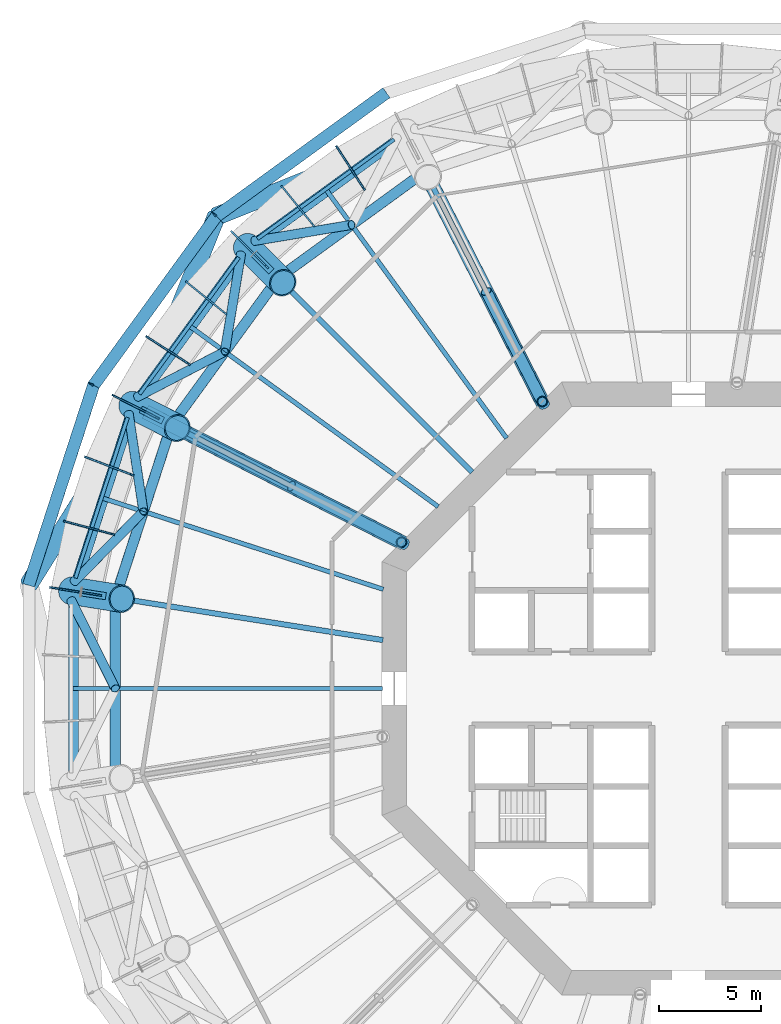
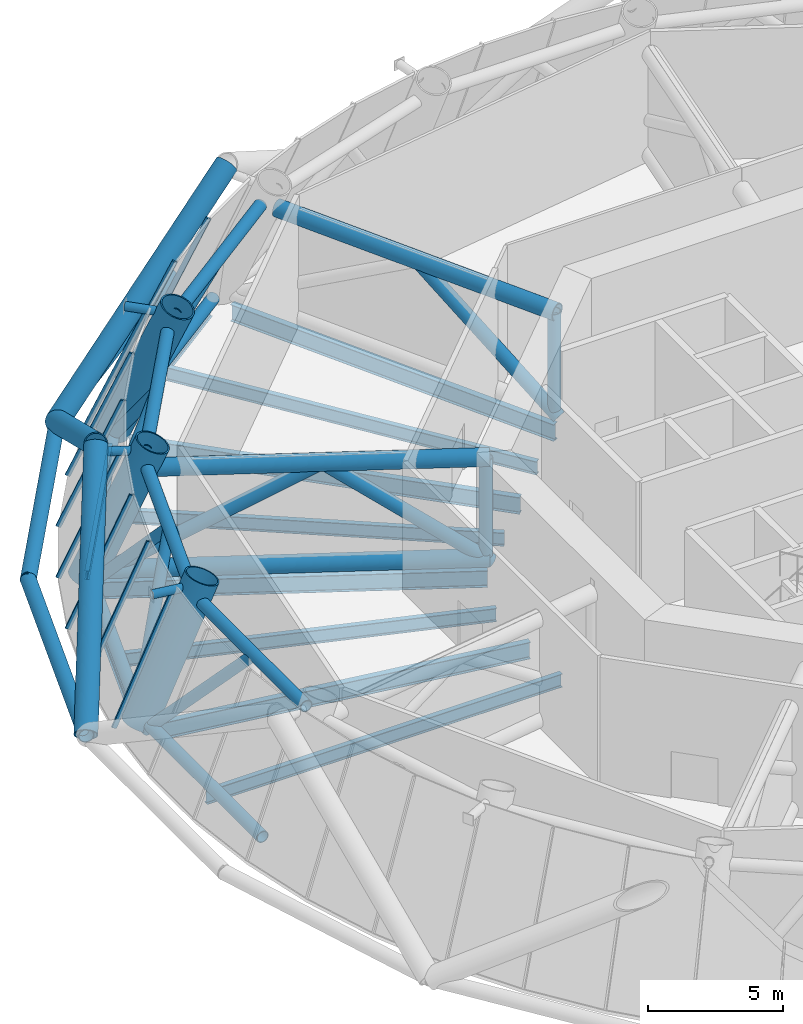
# One storey, part 4 of 18: 43 members, 11 beams, 4 elements without a shape of their own.
"""IFC4 building model written with IfcOpenShell, lengths in metres."""

from ifc_helpers import new_model, si_unit, direction, frame, origin, origin_2d, place, context, subcontext, project, spatial, rectangle, circle, hollow_circle, i_section, extrude, material, layer, layer_set, material_profile, profile_set, type_object, element, aggregate, save


model = new_model("IFC4")

# Units and contexts
model_context = context("Model", 3, precision=1e-05, world=origin(), true_north=direction((0.0, 1.0)))
body_context = subcontext(model_context, "Body", "Model", "MODEL_VIEW")
ifc_project = project(units=[si_unit("LENGTHUNIT", "METRE"), si_unit("AREAUNIT", "SQUARE_METRE"), si_unit("VOLUMEUNIT", "CUBIC_METRE"), si_unit("PLANEANGLEUNIT", "RADIAN"), si_unit("MASSUNIT", "GRAM", prefix="KILO")], contexts=[model_context])

# Site, building, storey
site_placement = place(None, origin())
site = spatial("IfcSite", under=ifc_project, at=site_placement, CompositionType="ELEMENT")
building_placement = place(site_placement, origin())
building = spatial("IfcBuilding", under=site, at=building_placement, Name="Entoto Ring Tower", CompositionType="ELEMENT")
storey_placement = place(building_placement, frame((0.0, 0.0, 138.0)))
storey = spatial("IfcBuildingStorey", under=building, at=storey_placement, Name="L31", CompositionType="ELEMENT", Elevation=138.0)

# Members
ifc_material_1 = material(Name="Steel S355", Category="steel")
ifc_material_profile_1 = material_profile(ifc_material_1, hollow_circle(Radius=0.449951171875, WallThickness=0.044921875, at=origin_2d()), Name="CHS 900 x 45")
ifc_material_2 = material(Name="Concrete C60/75", Category="concrete")
ifc_material_profile_2 = material_profile(ifc_material_2, circle(Radius=0.405029296875, at=origin_2d()), Name="Concrete C60/75 infill")
ifc_profile_set_1 = profile_set([ifc_material_profile_1, ifc_material_profile_2], Name="Steel S355")
member_type_1 = type_object("IfcMemberType", Name="Diagrid diagonal 900 x 45 concrete-filled tube", PredefinedType="BRACE", material=ifc_profile_set_1)
for number, where, z_axis, x_axis, name in (
    (1, (66.877685546875, 103.122314453125, 0.0), (0.798539539663, 0.321230348917, 0.50906351915), (-0.373207322886, 0.927747969086, 0.0), "DG2 module 10 07"),
    (2, (66.877685546875, 103.122314453125, 0.0), (-0.321230348917, -0.798539539663, 0.50906351915), (0.927747969086, -0.373207322886, 0.0), "DG2 module 10 08"),
):
    element("IfcMember", number, at=place(storey_placement, frame(where, z_axis=z_axis, x_axis=x_axis)), inside=storey, type_object=member_type_1, Name=name, PredefinedType="BRACE", context=body_context, shape_type="SweptSolid", body=[
        extrude(hollow_circle(Radius=0.449951171875, WallThickness=0.044921875, at=origin_2d()), origin(), (0.0, 0.0, 1.0), 11.786376953125),
    ])
member_1_placement = place(storey_placement, frame((57.70263671875, 85.115478515625, 0.0), z_axis=(0.457223459156, 0.729241692547, 0.509070979578), x_axis=(-0.847241662915, 0.531207647366, 0.0)))
element("IfcMember", 3, at=member_1_placement, inside=storey, type_object=member_type_1, Name="DG2 module 10 09", PredefinedType="BRACE", context=body_context, shape_type="SweptSolid", body=[
    extrude(hollow_circle(Radius=0.449951171875, WallThickness=0.044921875, at=origin_2d()), origin(), (0.0, 0.0, 1.0), 11.7861328125),
])
ifc_material_3 = material(Name="Steel S355", Category="steel")
ifc_material_profile_3 = material_profile(ifc_material_3, hollow_circle(Radius=0.177734375, WallThickness=0.01611328125, at=origin_2d()), Name="CHS 355.6 x 16")
ifc_material_4 = material(Name="Concrete C60/75", Category="concrete")
ifc_material_profile_4 = material_profile(ifc_material_4, circle(Radius=0.161865234375, at=origin_2d()), Name="Concrete C60/75 infill")
ifc_profile_set_2 = profile_set([ifc_material_profile_3, ifc_material_profile_4], Name="Steel S355")
member_type_2 = type_object("IfcMemberType", Name="Diagrid node strut 355.6 x 16", PredefinedType="STRUT", material=ifc_profile_set_2)
member_2_placement = place(storey_placement, frame((69.570556640625, 100.429443359375, 5.672119140625), z_axis=(-0.707106781187, 0.707106781187, 0.0), x_axis=(-0.707106781187, -0.707106781187, 0.0)))
element("IfcMember", 4, at=member_2_placement, inside=storey, type_object=member_type_2, Name="DS1 strut ring 10 08", PredefinedType="STRUT", context=body_context, shape_type="SweptSolid", body=[
    extrude(hollow_circle(Radius=0.177734375, WallThickness=0.01611328125, at=origin_2d()), origin(), (0.0, 0.0, 1.0), 1.20849609375),
])
member_3_placement = place(storey_placement, frame((64.25732421875, 93.116455078125, 5.672119140625), z_axis=(-0.891007115266, 0.453989339683, 0.0), x_axis=(-0.453989339683, -0.891007115266, 0.0)))
element("IfcMember", 5, at=member_3_placement, inside=storey, type_object=member_type_2, Name="DS1 strut ring 10 09", PredefinedType="STRUT", context=body_context, shape_type="SweptSolid", body=[
    extrude(hollow_circle(Radius=0.177734375, WallThickness=0.01611328125, at=origin_2d()), origin(), (0.0, 0.0, 1.0), 1.208251953125),
])
member_4_placement = place(storey_placement, frame((61.464111328125, 84.51953125, 5.672119140625), z_axis=(-0.987667778842, 0.156564231664, 0.0), x_axis=(-0.156564231664, -0.987667778842, 0.0)))
element("IfcMember", 6, at=member_4_placement, inside=storey, type_object=member_type_2, Name="DS1 strut ring 10 10", PredefinedType="STRUT", context=body_context, shape_type="SweptSolid", body=[
    extrude(hollow_circle(Radius=0.177734375, WallThickness=0.01611328125, at=origin_2d()), origin(), (0.0, 0.0, 1.0), 1.20849609375),
])
ifc_material_5 = material(Name="Steel S355", Category="steel")
ifc_material_profile_5 = material_profile(ifc_material_5, hollow_circle(Radius=0.300048828125, WallThickness=0.030029296875, at=origin_2d()), Name="CHS 600 x 30")
ifc_material_6 = material(Name="Concrete C60/75", Category="concrete")
ifc_material_profile_6 = material_profile(ifc_material_6, circle(Radius=0.27001953125, at=origin_2d()), Name="Concrete C60/75 infill")
ifc_profile_set_3 = profile_set([ifc_material_profile_5, ifc_material_profile_6], Name="Steel S355")
member_type_3 = type_object("IfcMemberType", Name="Diagrid ring beam 600 x 30", PredefinedType="CHORD", material=ifc_profile_set_3)
for number, where, z_axis, x_axis, name in (
    (7, (75.209228515625, 109.175537109375, 0.0), (-0.809025235549, -0.587773909122, 0.0), (0.587773909122, -0.809025235549, 0.0), "DR1 ring 9 06"),
    (8, (66.917236328125, 103.177001953125, 0.0), (-0.587773909122, -0.809025235549, 0.0), (0.809025235549, -0.587773909122, 0.0), "DR1 ring 9 07"),
):
    element("IfcMember", number, at=place(storey_placement, frame(where, z_axis=z_axis, x_axis=x_axis)), inside=storey, type_object=member_type_3, Name=name, PredefinedType="CHORD", context=body_context, shape_type="SweptSolid", body=[
        extrude(hollow_circle(Radius=0.300048828125, WallThickness=0.030029296875, at=origin_2d()), origin(), (0.0, 0.0, 1.0), 10.365966796875),
    ])
member_5_placement = place(storey_placement, frame((60.885009765625, 94.90966796875, 0.0), z_axis=(-0.309032815696, -0.951051375491, 0.0), x_axis=(0.951051375491, -0.309032815696, 0.0)))
element("IfcMember", 9, at=member_5_placement, inside=storey, type_object=member_type_3, Name="DR1 ring 9 08", PredefinedType="CHORD", context=body_context, shape_type="SweptSolid", body=[
    extrude(hollow_circle(Radius=0.300048828125, WallThickness=0.030029296875, at=origin_2d()), origin(), (0.0, 0.0, 1.0), 10.36572265625),
])

# Beams
ifc_material_7 = material(Name="Steel S355", Category="steel")
ifc_material_profile_7 = material_profile(ifc_material_7, i_section(OverallWidth=0.179931640625, OverallDepth=0.39990234375, WebThickness=0.008544921875, FlangeThickness=0.013427734375, FilletRadius=0.02099609375, at=origin_2d()), Name="IPE 400")
ifc_profile_set_4 = profile_set([ifc_material_profile_7], Name="Steel S355")
beam_type_1 = type_object("IfcBeamType", Name="Edge beam IPE 400", PredefinedType="SPANDREL", material=ifc_profile_set_4)
for number, where, z_axis, x_axis, name in (
    (10, (75.5830078125, 106.88330078125, -0.35009765625), (-0.809023009896, -0.587776972549, 0.0), (0.587776972549, -0.809023009896, 0.0), "Edge beam L31 07"),
    (11, (67.981201171875, 101.112548828125, -0.35009765625), (-0.587776972549, -0.809023009896, 0.0), (0.809023009896, -0.587776972549, 0.0), "Edge beam L31 08"),
):
    element("IfcBeam", number, at=place(storey_placement, frame(where, z_axis=z_axis, x_axis=x_axis)), inside=storey, type_object=beam_type_1, Name=name, PredefinedType="SPANDREL", context=body_context, shape_type="SweptSolid", body=[
        extrude(i_section(OverallWidth=0.179931640625, OverallDepth=0.39990234375, WebThickness=0.008544921875, FlangeThickness=0.013427734375, FilletRadius=0.02099609375, at=origin_2d()), origin(), (0.0, 0.0, 1.0), 8.276123046875),
    ])
beam_1_placement = place(storey_placement, frame((62.53466796875, 93.27490234375, -0.35009765625), z_axis=(-0.309014697302, -0.951057262656, 0.0), x_axis=(0.951057262656, -0.309014697302, 0.0)))
element("IfcBeam", 12, at=beam_1_placement, inside=storey, type_object=beam_type_1, Name="Edge beam L31 09", PredefinedType="SPANDREL", context=body_context, shape_type="SweptSolid", body=[
    extrude(i_section(OverallWidth=0.179931640625, OverallDepth=0.39990234375, WebThickness=0.008544921875, FlangeThickness=0.013427734375, FilletRadius=0.02099609375, at=origin_2d()), origin(), (0.0, 0.0, 1.0), 8.27587890625),
])

# Curtain wall, members
ifc_material_8 = material(Name="Anodised aluminium", Category="aluminium")
ifc_layer = layer(ifc_material_8, 0.10009765625)
ifc_layer_set = layer_set([ifc_layer], Name="Anodised aluminium")
curtain_wall_type = type_object("IfcCurtainWallType", Name="Louvre curtain wall system CW7", PredefinedType="NOTDEFINED", material=ifc_layer_set)
curtain_wall_1_placement = place(storey_placement, origin())
curtain_wall_1 = element("IfcCurtainWall", 13, at=curtain_wall_1_placement, inside=storey, type_object=curtain_wall_type, Name="CW7 L31-07", PredefinedType="NOTDEFINED")
ifc_material_9 = material(Name="Anodised aluminium", Category="aluminium")
ifc_material_profile_8 = material_profile(ifc_material_9, rectangle(XDim=0.080078125, YDim=0.199951171875, at=origin_2d()), Name="Mullion 80 x 200 mm anodised aluminium")
ifc_profile_set_5 = profile_set([ifc_material_profile_8], Name="Anodised aluminium")
member_type_4 = type_object("IfcMemberType", Name="Mullion 80 x 200 mm anodised aluminium", PredefinedType="MULLION", material=ifc_profile_set_5)
member_6_placement = place(storey_placement, frame((72.793701171875, 106.49560546875, 0.03857421875), z_axis=(0.209474462982, -0.322565689083, 0.923077367064), x_axis=(0.838673115143, 0.544635112654, 0.0)))
member_6 = element("IfcMember", 14, at=member_6_placement, type_object=member_type_4, Name="MULLION L31-19", PredefinedType="MULLION", context=body_context, shape_type="SweptSolid", body=[
    extrude(rectangle(XDim=0.080078125, YDim=0.199951171875, at=origin_2d()), origin(), (0.0, 0.0, 1.0), 6.25390625),
])
member_7_placement = place(storey_placement, frame((70.118408203125, 104.5517578125, 0.03857421875), z_axis=(0.242031891748, -0.298909386308, 0.923078405204), x_axis=(0.777171592091, 0.629288738535, 0.0)))
member_7 = element("IfcMember", 15, at=member_7_placement, type_object=member_type_4, Name="MULLION L31-20", PredefinedType="MULLION", context=body_context, shape_type="SweptSolid", body=[
    extrude(rectangle(XDim=0.080078125, YDim=0.199951171875, at=origin_2d()), origin(), (0.0, 0.0, 1.0), 6.25390625),
])
aggregate(curtain_wall_1, [member_6, member_7])

curtain_wall_2_placement = place(storey_placement, origin())
curtain_wall_2 = element("IfcCurtainWall", 16, at=curtain_wall_2_placement, inside=storey, type_object=curtain_wall_type, Name="CW7 L31-08", PredefinedType="NOTDEFINED")
member_8_placement = place(storey_placement, frame((67.660888671875, 102.339111328125, 0.03857421875), z_axis=(0.271971811529, -0.271971811529, 0.923072406405), x_axis=(0.707106781187, 0.707106781187, 0.0)))
member_8 = element("IfcMember", 17, at=member_8_placement, type_object=member_type_4, Name="MULLION L31-21", PredefinedType="MULLION", context=body_context, shape_type="SweptSolid", body=[
    extrude(rectangle(XDim=0.080078125, YDim=0.199951171875, at=origin_2d()), origin(), (0.0, 0.0, 1.0), 6.254150390625),
])
member_9_placement = place(storey_placement, frame((65.4482421875, 99.881591796875, 0.03857421875), z_axis=(0.298909386308, -0.242031891748, 0.923078405204), x_axis=(0.629288738535, 0.777171592091, 0.0)))
member_9 = element("IfcMember", 18, at=member_9_placement, type_object=member_type_4, Name="MULLION L31-22", PredefinedType="MULLION", context=body_context, shape_type="SweptSolid", body=[
    extrude(rectangle(XDim=0.080078125, YDim=0.199951171875, at=origin_2d()), origin(), (0.0, 0.0, 1.0), 6.25390625),
])
member_10_placement = place(storey_placement, frame((63.50439453125, 97.206298828125, 0.03857421875), z_axis=(0.322565689083, -0.209474462982, 0.923077367064), x_axis=(0.544635112654, 0.838673115143, 0.0)))
member_10 = element("IfcMember", 19, at=member_10_placement, type_object=member_type_4, Name="MULLION L31-23", PredefinedType="MULLION", context=body_context, shape_type="SweptSolid", body=[
    extrude(rectangle(XDim=0.080078125, YDim=0.199951171875, at=origin_2d()), origin(), (0.0, 0.0, 1.0), 6.25390625),
])
aggregate(curtain_wall_2, [member_8, member_9, member_10])

curtain_wall_3_placement = place(storey_placement, origin())
curtain_wall_3 = element("IfcCurtainWall", 20, at=curtain_wall_3_placement, inside=storey, type_object=curtain_wall_type, Name="CW7 L31-09", PredefinedType="NOTDEFINED")
member_11_placement = place(storey_placement, frame((61.85107421875, 94.342529296875, 0.03857421875), z_axis=(0.342707021712, -0.174613111757, 0.923072130698), x_axis=(0.453980514773, 0.891011611713, 0.0)))
member_11 = element("IfcMember", 21, at=member_11_placement, type_object=member_type_4, Name="MULLION L31-24", PredefinedType="MULLION", context=body_context, shape_type="SweptSolid", body=[
    extrude(rectangle(XDim=0.080078125, YDim=0.199951171875, at=origin_2d()), origin(), (0.0, 0.0, 1.0), 6.254150390625),
])
member_12_placement = place(storey_placement, frame((60.506103515625, 91.32177734375, 0.03857421875), z_axis=(0.359065607861, -0.137840906866, 0.92307733893), x_axis=(0.358387287841, 0.933573002991, 0.0)))
member_12 = element("IfcMember", 22, at=member_12_placement, type_object=member_type_4, Name="MULLION L31-25", PredefinedType="MULLION", context=body_context, shape_type="SweptSolid", body=[
    extrude(rectangle(XDim=0.080078125, YDim=0.199951171875, at=origin_2d()), origin(), (0.0, 0.0, 1.0), 6.25390625),
])
member_13_placement = place(storey_placement, frame((59.484130859375, 88.1767578125, 0.03857421875), z_axis=(0.371517215719, -0.099544909119, 0.923074086676), x_axis=(0.258812183003, 0.965927664957, 0.0)))
member_13 = element("IfcMember", 23, at=member_13_placement, type_object=member_type_4, Name="MULLION L31-26", PredefinedType="MULLION", context=body_context, shape_type="SweptSolid", body=[
    extrude(rectangle(XDim=0.080078125, YDim=0.199951171875, at=origin_2d()), origin(), (0.0, 0.0, 1.0), 6.254150390625),
])
aggregate(curtain_wall_3, [member_11, member_12, member_13])

# Curtain wall, member
curtain_wall_4_placement = place(storey_placement, origin())
curtain_wall_4 = element("IfcCurtainWall", 24, at=curtain_wall_4_placement, inside=storey, type_object=curtain_wall_type, Name="CW7 L31-10", PredefinedType="NOTDEFINED")
member_14_placement = place(storey_placement, frame((58.796630859375, 84.942138671875, 0.03857421875), z_axis=(0.379873712431, -0.060156755817, 0.923080238838), x_axis=(0.156410801358, 0.987692088264, 0.0)))
member_14 = element("IfcMember", 25, at=member_14_placement, type_object=member_type_4, Name="MULLION L31-27", PredefinedType="MULLION", context=body_context, shape_type="SweptSolid", body=[
    extrude(rectangle(XDim=0.080078125, YDim=0.199951171875, at=origin_2d()), origin(), (0.0, 0.0, 1.0), 6.25390625),
])
aggregate(curtain_wall_4, [member_14])

# Members
ifc_material_10 = material(Name="Steel S355", Category="steel")
ifc_material_profile_9 = material_profile(ifc_material_10, hollow_circle(Radius=0.35546875, WallThickness=0.0400390625, at=origin_2d()), Name="CHS 711 x 40")
ifc_material_11 = material(Name="Concrete C60/75", Category="concrete")
ifc_material_profile_10 = material_profile(ifc_material_11, circle(Radius=0.3154296875, at=origin_2d()), Name="Concrete C60/75 infill")
ifc_profile_set_6 = profile_set([ifc_material_profile_9, ifc_material_profile_10], Name="Steel S355")
member_type_5 = type_object("IfcMemberType", Name="Outrigger chord 711 x 40", PredefinedType="CHORD", material=ifc_profile_set_6)
member_15_placement = place(storey_placement, frame((82.901123046875, 93.93212890625, 4.89453125), z_axis=(-0.453984546061, 0.891009557714, 0.0), x_axis=(-0.891009557714, -0.453984546061, 0.0)))
element("IfcMember", 26, at=member_15_placement, inside=storey, type_object=member_type_5, Name="OR1 L31 top 04", PredefinedType="CHORD", context=body_context, shape_type="SweptSolid", body=[
    extrude(hollow_circle(Radius=0.35546875, WallThickness=0.0400390625, at=origin_2d()), origin(), (0.0, 0.0, 1.0), 12.322509765625),
])
member_16_placement = place(storey_placement, frame((76.06787109375, 87.098876953125, 0.35546875), z_axis=(-0.89100737995, 0.453988820208, 0.0), x_axis=(-0.453988820208, -0.89100737995, 0.0)))
element("IfcMember", 27, at=member_16_placement, inside=storey, type_object=member_type_5, Name="OR1 L31 bottom 05", PredefinedType="CHORD", context=body_context, shape_type="SweptSolid", body=[
    extrude(hollow_circle(Radius=0.35546875, WallThickness=0.0400390625, at=origin_2d()), origin(), (0.0, 0.0, 1.0), 14.213623046875),
])
member_17_placement = place(storey_placement, frame((76.06787109375, 87.098876953125, 4.89453125), z_axis=(-0.891009557714, 0.453984546061, 0.0), x_axis=(-0.453984546061, -0.891009557714, 0.0)))
element("IfcMember", 28, at=member_17_placement, inside=storey, type_object=member_type_5, Name="OR1 L31 top 05", PredefinedType="CHORD", context=body_context, shape_type="SweptSolid", body=[
    extrude(hollow_circle(Radius=0.35546875, WallThickness=0.0400390625, at=origin_2d()), origin(), (0.0, 0.0, 1.0), 12.322509765625),
])
ifc_material_12 = material(Name="Steel S355", Category="steel")
ifc_material_profile_11 = material_profile(ifc_material_12, hollow_circle(Radius=0.279541015625, WallThickness=0.031982421875, at=origin_2d()), Name="CHS 559 x 32")
ifc_material_13 = material(Name="Concrete C60/75", Category="concrete")
ifc_material_profile_12 = material_profile(ifc_material_13, circle(Radius=0.24755859375, at=origin_2d()), Name="Concrete C60/75 infill")
ifc_profile_set_7 = profile_set([ifc_material_profile_11, ifc_material_profile_12], Name="Steel S355")
member_type_6 = type_object("IfcMemberType", Name="Outrigger diagonal 559 x 32", PredefinedType="BRACE", material=ifc_profile_set_7)
for number, where, z_axis, x_axis, name in (
    (29, (82.93359375, 93.868896484375, 0.20068359375), (-0.363325927631, 0.712989702419, 0.599699887073), (-0.890986541664, -0.454029715518, 0.0), "OR2 L31 04 1"),
    (30, (76.131103515625, 87.06640625, 0.20068359375), (-0.712989702419, 0.363325927631, 0.599699887073), (-0.454029715518, -0.890986541664, 0.0), "OR2 L31 05 1"),
):
    element("IfcMember", number, at=place(storey_placement, frame(where, z_axis=z_axis, x_axis=x_axis)), inside=storey, type_object=member_type_6, Name=name, PredefinedType="BRACE", context=body_context, shape_type="SweptSolid", body=[
        extrude(hollow_circle(Radius=0.279541015625, WallThickness=0.031982421875, at=origin_2d()), origin(), (0.0, 0.0, 1.0), 7.826904296875),
    ])
member_18_placement = place(storey_placement, frame((70.550537109375, 89.91015625, 4.89453125), z_axis=(-0.77373913237, 0.394219192289, -0.495902191436), x_axis=(-0.453971678573, -0.891016113801, 0.0)))
element("IfcMember", 31, at=member_18_placement, inside=storey, type_object=member_type_6, Name="OR2 L31 05 2", PredefinedType="BRACE", context=body_context, shape_type="SweptSolid", body=[
    extrude(hollow_circle(Radius=0.279541015625, WallThickness=0.031982421875, at=origin_2d()), origin(), (0.0, 0.0, 1.0), 9.267822265625),
])
ifc_material_14 = material(Name="Steel S355", Category="steel")
ifc_material_profile_13 = material_profile(ifc_material_14, hollow_circle(Radius=0.25390625, WallThickness=0.030029296875, at=origin_2d()), Name="CHS 508 x 30")
ifc_material_15 = material(Name="Concrete C60/75", Category="concrete")
ifc_material_profile_14 = material_profile(ifc_material_15, circle(Radius=0.22412109375, at=origin_2d()), Name="Concrete C60/75 infill")
ifc_profile_set_8 = profile_set([ifc_material_profile_13, ifc_material_profile_14], Name="Steel S355")
member_type_7 = type_object("IfcMemberType", Name="Outrigger post 508 x 30", PredefinedType="POST", material=ifc_profile_set_8)
for number, where, z_axis, x_axis, name in (
    (32, (82.839599609375, 94.052978515625, 0.35546875), (0.0, 0.0, 1.0), (1.0, 0.0, 0.0), "OR3 L31 04"),
    (33, (75.947021484375, 87.160400390625, 0.35546875), (0.0, 0.0, 1.0), (1.0, 0.0, 0.0), "OR3 L31 05"),
):
    element("IfcMember", number, at=place(storey_placement, frame(where, z_axis=z_axis, x_axis=x_axis)), inside=storey, type_object=member_type_7, Name=name, PredefinedType="POST", context=body_context, shape_type="SweptSolid", body=[
        extrude(hollow_circle(Radius=0.25390625, WallThickness=0.030029296875, at=origin_2d()), origin(), (0.0, 0.0, 1.0), 4.5390625),
    ])

# Beams
ifc_material_16 = material(Name="Steel S355", Category="steel")
ifc_material_profile_15 = material_profile(ifc_material_16, i_section(OverallWidth=0.262939453125, OverallDepth=0.7529296875, WebThickness=0.011474609375, FlangeThickness=0.01708984375, FilletRadius=0.01708984375, at=origin_2d()), Name="IPE 750 x 137")
ifc_profile_set_9 = profile_set([ifc_material_profile_15], Name="Steel S355")
beam_type_2 = type_object("IfcBeamType", Name="Primary floor beam IPE 750 x 137", PredefinedType="BEAM", material=ifc_profile_set_9)
beam_2_placement = place(storey_placement, frame((82.8681640625, 93.9970703125, -0.526611328125), z_axis=(-0.453992772788, 0.891005366009, 0.0), x_axis=(-0.891005366009, -0.453992772788, 0.0)))
element("IfcBeam", 34, at=beam_2_placement, inside=storey, type_object=beam_type_2, Name="Primary L31 R07", PredefinedType="BEAM", context=body_context, shape_type="SweptSolid", body=[
    extrude(i_section(OverallWidth=0.262939453125, OverallDepth=0.7529296875, WebThickness=0.011474609375, FlangeThickness=0.01708984375, FilletRadius=0.01708984375, at=origin_2d()), origin(), (0.0, 0.0, 1.0), 14.24853515625),
])
beam_3_placement = place(storey_placement, frame((79.407470703125, 90.592529296875, -0.526611328125), z_axis=(-0.707106781187, 0.707106781187, 0.0), x_axis=(-0.707106781187, -0.707106781187, 0.0)))
element("IfcBeam", 35, at=beam_3_placement, inside=storey, type_object=beam_type_2, Name="Primary L31 R08", PredefinedType="BEAM", context=body_context, shape_type="SweptSolid", body=[
    extrude(i_section(OverallWidth=0.262939453125, OverallDepth=0.7529296875, WebThickness=0.011474609375, FlangeThickness=0.01708984375, FilletRadius=0.01708984375, at=origin_2d()), origin(), (0.0, 0.0, 1.0), 14.977783203125),
])
beam_4_placement = place(storey_placement, frame((76.0029296875, 87.1318359375, -0.526611328125), z_axis=(-0.891005366009, 0.453992772788, 0.0), x_axis=(-0.453992772788, -0.891005366009, 0.0)))
element("IfcBeam", 36, at=beam_4_placement, inside=storey, type_object=beam_type_2, Name="Primary L31 R09", PredefinedType="BEAM", context=body_context, shape_type="SweptSolid", body=[
    extrude(i_section(OverallWidth=0.262939453125, OverallDepth=0.7529296875, WebThickness=0.011474609375, FlangeThickness=0.01708984375, FilletRadius=0.01708984375, at=origin_2d()), origin(), (0.0, 0.0, 1.0), 14.24853515625),
])
beam_5_placement = place(storey_placement, frame((75.040283203125, 82.369384765625, -0.526611328125), z_axis=(-0.987687608224, 0.156439088977, 0.0), x_axis=(-0.156439088977, -0.987687608224, 0.0)))
element("IfcBeam", 37, at=beam_5_placement, inside=storey, type_object=beam_type_2, Name="Primary L31 R10", PredefinedType="BEAM", context=body_context, shape_type="SweptSolid", body=[
    extrude(i_section(OverallWidth=0.262939453125, OverallDepth=0.7529296875, WebThickness=0.011474609375, FlangeThickness=0.01708984375, FilletRadius=0.01708984375, at=origin_2d()), origin(), (0.0, 0.0, 1.0), 14.811767578125),
])

# Members
ifc_material_17 = material(Name="Steel S355", Category="steel")
ifc_material_profile_16 = material_profile(ifc_material_17, hollow_circle(Radius=0.675048828125, WallThickness=0.06005859375, at=origin_2d()), Name="CHS 1350 x 60")
ifc_material_18 = material(Name="Concrete C60/75", Category="concrete")
ifc_material_profile_17 = material_profile(ifc_material_18, circle(Radius=0.614990234375, at=origin_2d()), Name="Concrete C60/75 infill")
ifc_profile_set_10 = profile_set([ifc_material_profile_16, ifc_material_profile_17], Name="Steel S355")
member_type_8 = type_object("IfcMemberType", Name="Ring column jog 1350 x 60 concrete-filled tube", PredefinedType="STRUT", material=ifc_profile_set_10)
for number, where, z_axis, x_axis, name in (
    (38, (68.362548828125, 101.637451171875, 0.0), (0.271971397377, -0.271971397377, 0.923072650455), (0.707106781187, 0.707106781187, 0.0), "RJ2B R08"),
    (39, (62.735107421875, 93.89208984375, 0.0), (0.342697597672, -0.174616520339, 0.923074984698), (0.453997461601, 0.891002976909, 0.0), "RJ2B R09"),
    (40, (59.77685546875, 84.786865234375, 0.0), (0.379850189746, -0.060172056163, 0.923088921506), (0.156459060658, 0.987684444718, 0.0), "RJ2B R10"),
):
    element("IfcMember", number, at=place(storey_placement, frame(where, z_axis=z_axis, x_axis=x_axis)), inside=storey, type_object=member_type_8, Name=name, PredefinedType="STRUT", context=body_context, shape_type="SweptSolid", body=[
        extrude(hollow_circle(Radius=0.675048828125, WallThickness=0.06005859375, at=origin_2d()), origin(), (0.0, 0.0, 1.0), 6.5),
    ])
ifc_material_19 = material(Name="Steel S355", Category="steel")
ifc_material_profile_18 = material_profile(ifc_material_19, hollow_circle(Radius=0.25390625, WallThickness=0.030029296875, at=origin_2d()), Name="CHS 508 x 30")
ifc_material_20 = material(Name="Concrete C60/75", Category="concrete")
ifc_material_profile_19 = material_profile(ifc_material_20, circle(Radius=0.22412109375, at=origin_2d()), Name="Concrete C60/75 infill")
ifc_profile_set_11 = profile_set([ifc_material_profile_18, ifc_material_profile_19], Name="Steel S355")
member_type_9 = type_object("IfcMemberType", Name="Ring truss chord 508 x 30", PredefinedType="CHORD", material=ifc_profile_set_11)
member_19_placement = place(storey_placement, frame((75.6640625, 106.81298828125, 0.25390625), z_axis=(-0.809022603088, -0.587777532484, 0.0), x_axis=(0.587777532484, -0.809022603088, 0.0)))
element("IfcMember", 41, at=member_19_placement, inside=storey, type_object=member_type_9, Name="BT1 L31 bottom 07", PredefinedType="CHORD", context=body_context, shape_type="SweptSolid", body=[
    extrude(hollow_circle(Radius=0.25390625, WallThickness=0.030029296875, at=origin_2d()), origin(), (0.0, 0.0, 1.0), 8.32470703125),
])
member_20_placement = place(storey_placement, frame((76.6064453125, 104.963623046875, 5.236083984375), z_axis=(-0.809004229416, -0.58780282135, 0.0), x_axis=(0.58780282135, -0.809004229416, 0.0)))
element("IfcMember", 42, at=member_20_placement, inside=storey, type_object=member_type_9, Name="BT1 L31 top 07", PredefinedType="CHORD", context=body_context, shape_type="SweptSolid", body=[
    extrude(hollow_circle(Radius=0.25390625, WallThickness=0.030029296875, at=origin_2d()), origin(), (0.0, 0.0, 1.0), 7.675048828125),
])
member_21_placement = place(storey_placement, frame((68.080078125, 101.07080078125, 0.25390625), z_axis=(-0.587777532484, -0.809022603088, 0.0), x_axis=(0.809022603088, -0.587777532484, 0.0)))
element("IfcMember", 43, at=member_21_placement, inside=storey, type_object=member_type_9, Name="BT1 L31 bottom 08", PredefinedType="CHORD", context=body_context, shape_type="SweptSolid", body=[
    extrude(hollow_circle(Radius=0.25390625, WallThickness=0.030029296875, at=origin_2d()), origin(), (0.0, 0.0, 1.0), 8.32470703125),
])
member_22_placement = place(storey_placement, frame((69.5478515625, 99.602783203125, 5.236083984375), z_axis=(-0.58780282135, -0.809004229416, 0.0), x_axis=(0.809004229416, -0.58780282135, 0.0)))
element("IfcMember", 44, at=member_22_placement, inside=storey, type_object=member_type_9, Name="BT1 L31 top 08", PredefinedType="CHORD", context=body_context, shape_type="SweptSolid", body=[
    extrude(hollow_circle(Radius=0.25390625, WallThickness=0.030029296875, at=origin_2d()), origin(), (0.0, 0.0, 1.0), 7.675048828125),
])
member_23_placement = place(storey_placement, frame((62.6416015625, 93.265869140625, 0.25390625), z_axis=(-0.309021747199, -0.951054971996, 0.0), x_axis=(0.951054971996, -0.309021747199, 0.0)))
element("IfcMember", 45, at=member_23_placement, inside=storey, type_object=member_type_9, Name="BT1 L31 bottom 09", PredefinedType="CHORD", context=body_context, shape_type="SweptSolid", body=[
    extrude(hollow_circle(Radius=0.25390625, WallThickness=0.030029296875, at=origin_2d()), origin(), (0.0, 0.0, 1.0), 8.32470703125),
])
member_24_placement = place(storey_placement, frame((64.4912109375, 92.323486328125, 5.236083984375), z_axis=(-0.309023496777, -0.951054403512, 0.0), x_axis=(0.951054403512, -0.309023496777, 0.0)))
element("IfcMember", 46, at=member_24_placement, inside=storey, type_object=member_type_9, Name="BT1 L31 top 09", PredefinedType="CHORD", context=body_context, shape_type="SweptSolid", body=[
    extrude(hollow_circle(Radius=0.25390625, WallThickness=0.030029296875, at=origin_2d()), origin(), (0.0, 0.0, 1.0), 7.67529296875),
])
member_25_placement = place(storey_placement, frame((59.88134765625, 84.162353515625, 0.25390625), z_axis=(0.0, -1.0, 0.0), x_axis=(1.0, 0.0, 0.0)))
element("IfcMember", 47, at=member_25_placement, inside=storey, type_object=member_type_9, Name="BT1 L31 bottom 10", PredefinedType="CHORD", context=body_context, shape_type="SweptSolid", body=[
    extrude(hollow_circle(Radius=0.25390625, WallThickness=0.030029296875, at=origin_2d()), origin(), (0.0, 0.0, 1.0), 8.32470703125),
])
member_26_placement = place(storey_placement, frame((61.931640625, 83.837646484375, 5.236083984375), z_axis=(0.0, -1.0, 0.0), x_axis=(1.0, 0.0, 0.0)))
element("IfcMember", 48, at=member_26_placement, inside=storey, type_object=member_type_9, Name="BT1 L31 top 10", PredefinedType="CHORD", context=body_context, shape_type="SweptSolid", body=[
    extrude(hollow_circle(Radius=0.25390625, WallThickness=0.030029296875, at=origin_2d()), origin(), (0.0, 0.0, 1.0), 7.67529296875),
])
ifc_material_21 = material(Name="Steel S355", Category="steel")
ifc_material_profile_20 = material_profile(ifc_material_21, hollow_circle(Radius=0.228515625, WallThickness=0.02001953125, at=origin_2d()), Name="CHS 457 x 20")
ifc_material_22 = material(Name="Concrete C60/75", Category="concrete")
ifc_material_profile_21 = material_profile(ifc_material_22, circle(Radius=0.20849609375, at=origin_2d()), Name="Concrete C60/75 infill")
ifc_profile_set_12 = profile_set([ifc_material_profile_20, ifc_material_profile_21], Name="Steel S355")
member_type_10 = type_object("IfcMemberType", Name="Ring truss diagonal 457 x 20", PredefinedType="BRACE", material=ifc_profile_set_12)
for number, where, z_axis, x_axis, name in (
    (49, (73.501708984375, 102.707763671875, 5.236083984375), (-0.667651678261, -0.110584625243, -0.736214830858), (0.163405937307, -0.98655891849, 0.0), "BT2 L31 07 b"),
    (50, (68.08056640625, 101.2578125, -0.01220703125), (-0.110584625243, -0.667651678261, 0.736214830858), (0.98655891849, -0.163405937307, 0.0), "BT2 L31 08 a"),
):
    element("IfcMember", number, at=place(storey_placement, frame(where, z_axis=z_axis, x_axis=x_axis)), inside=storey, type_object=member_type_10, Name=name, PredefinedType="BRACE", context=body_context, shape_type="SweptSolid", body=[
        extrude(hollow_circle(Radius=0.228515625, WallThickness=0.02001953125, at=origin_2d()), origin(), (0.0, 0.0, 1.0), 7.128662109375),
    ])
for number, where, z_axis, x_axis, name in (
    (51, (67.292236328125, 96.498291015625, 5.236083984375), (-0.600818337811, -0.311504993202, -0.736194243498), (0.460281714879, -0.887772911812, 0.0), "BT2 L31 08 b"),
    (52, (62.58447265625, 93.444091796875, -0.01220703125), (0.101129376835, -0.669173052268, 0.736193096449), (0.988772439917, 0.149429120526, 0.0), "BT2 L31 09 a"),
    (53, (63.305419921875, 88.673583984375, 5.236083984375), (-0.475166268021, -0.481912772872, -0.736190937921), (0.712073526329, -0.702104901778, 0.0), "BT2 L31 09 b"),
    (54, (59.771728515625, 84.314208984375, -0.01220703125), (0.302976847604, -0.605166030745, 0.736192301677), (0.89419429899, 0.447679076632, 0.0), "BT2 L31 10 a"),
):
    element("IfcMember", number, at=place(storey_placement, frame(where, z_axis=z_axis, x_axis=x_axis)), inside=storey, type_object=member_type_10, Name=name, PredefinedType="BRACE", context=body_context, shape_type="SweptSolid", body=[
        extrude(hollow_circle(Radius=0.228515625, WallThickness=0.02001953125, at=origin_2d()), origin(), (0.0, 0.0, 1.0), 7.12890625),
    ])

# Beams
ifc_material_23 = material(Name="Steel S355", Category="steel")
ifc_material_profile_22 = material_profile(ifc_material_23, i_section(OverallWidth=0.219970703125, OverallDepth=0.60009765625, WebThickness=0.011962890625, FlangeThickness=0.01904296875, FilletRadius=0.02392578125, at=origin_2d()), Name="IPE 600")
ifc_profile_set_13 = profile_set([ifc_material_profile_22], Name="Steel S355")
beam_type_3 = type_object("IfcBeamType", Name="Secondary floor beam IPE 600", PredefinedType="JOIST", material=ifc_profile_set_13)
for number, where, z_axis, x_axis, name in (
    (55, (81.09521484375, 92.25634765625, -0.449951171875), (-0.587782163866, 0.809019238239, 0.0), (-0.809019238239, -0.587782163866, 0.0), "Secondary beam L31 07"),
    (56, (77.74365234375, 88.90478515625, -0.449951171875), (-0.809019238239, 0.587782163866, 0.0), (-0.587782163866, -0.809019238239, 0.0), "Secondary beam L31 08"),
):
    element("IfcBeam", number, at=place(storey_placement, frame(where, z_axis=z_axis, x_axis=x_axis)), inside=storey, type_object=beam_type_3, Name=name, PredefinedType="JOIST", context=body_context, shape_type="SweptSolid", body=[
        extrude(i_section(OverallWidth=0.219970703125, OverallDepth=0.60009765625, WebThickness=0.011962890625, FlangeThickness=0.01904296875, FilletRadius=0.02392578125, at=origin_2d()), origin(), (0.0, 0.0, 1.0), 14.983642578125),
    ])
beam_6_placement = place(storey_placement, frame((75.052978515625, 84.856689453125, -0.449951171875), z_axis=(-0.951057212949, 0.309014850288, 0.0), x_axis=(-0.309014850288, -0.951057212949, 0.0)))
element("IfcBeam", 57, at=beam_6_placement, inside=storey, type_object=beam_type_3, Name="Secondary beam L31 09", PredefinedType="JOIST", context=body_context, shape_type="SweptSolid", body=[
    extrude(i_section(OverallWidth=0.219970703125, OverallDepth=0.60009765625, WebThickness=0.011962890625, FlangeThickness=0.01904296875, FilletRadius=0.02392578125, at=origin_2d()), origin(), (0.0, 0.0, 1.0), 14.4169921875),
])
beam_7_placement = place(storey_placement, frame((75.02001953125, 80.0, -0.449951171875), z_axis=(-1.0, 0.0, 0.0), x_axis=(0.0, -1.0, 0.0)))
element("IfcBeam", 58, at=beam_7_placement, inside=storey, type_object=beam_type_3, Name="Secondary beam L31 10", PredefinedType="JOIST", context=body_context, shape_type="SweptSolid", body=[
    extrude(i_section(OverallWidth=0.219970703125, OverallDepth=0.60009765625, WebThickness=0.011962890625, FlangeThickness=0.01904296875, FilletRadius=0.02392578125, at=origin_2d()), origin(), (0.0, 0.0, 1.0), 15.1533203125),
])

save(model, "model.ifc")
